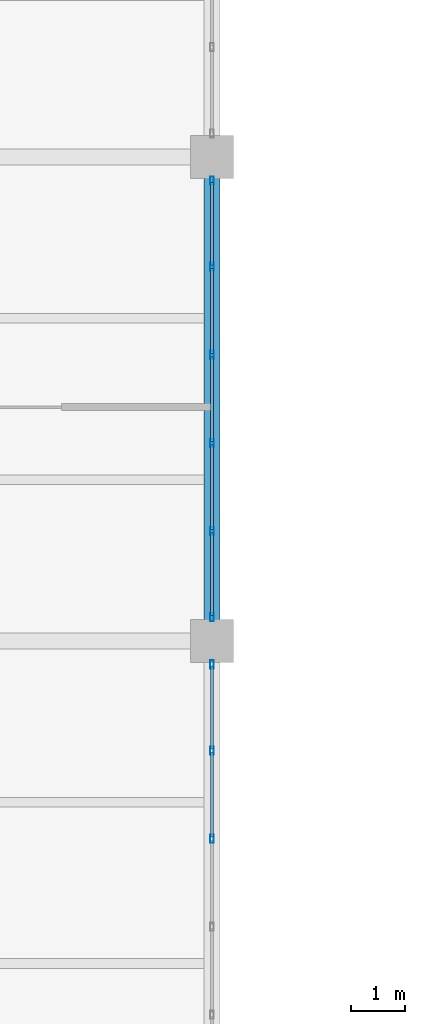
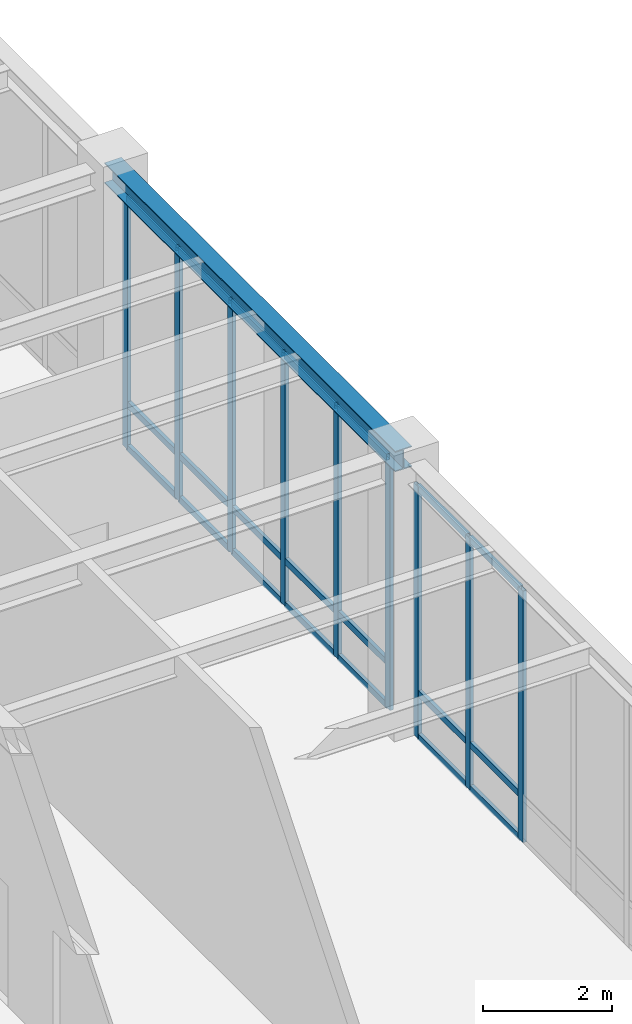
# One storey, part 24 of 77: 30 members, 1 beam, 2 elements without a shape of their own.
"""IFC4 building model written with IfcOpenShell, lengths in metres."""

import ifcopenshell
import ifcopenshell.guid

model = None  # the IFC model being written
_history = None  # IfcOwnerHistory: only IFC2X3 demands one
_inside = {}  # id of a spatial element -> (the spatial element, [elements in it])
_under = {}  # id of a project, library or spatial element -> (it, [spatial elements below it])
_declared = {}  # id of a project -> (the project, [libraries it declares])
_typed = {}  # id of a type object -> (the type object, [elements of that type])
_made_of = {}  # id of a material, layer set ... -> (it, [elements and type objects made of it])


def new_model(schema):
    """Start an empty IFC model of exactly this schema.

    Asked for "IFC4X3", IfcOpenShell would pick the latest addendum, in which some entities
    have other attributes; the version numbers below select the first issue.
    IFC2X3 requires an IfcOwnerHistory on every rooted entity: one is made here for all.
    """
    global model, _history
    if schema == "IFC4X3":
        model = ifcopenshell.file(schema_version=(4, 3, 0, 0))
    else:
        model = ifcopenshell.file(schema=schema)
    _inside.clear()
    _under.clear()
    _declared.clear()
    _typed.clear()
    _made_of.clear()
    _history = None
    if model.schema == "IFC2X3":
        org = make("IfcOrganization", Name="unknown")
        user = make(
            "IfcPersonAndOrganization",
            ThePerson=make("IfcPerson", FamilyName="unknown"),
            TheOrganization=org,
        )
        app = make(
            "IfcApplication",
            ApplicationDeveloper=org,
            Version="unknown",
            ApplicationFullName="unknown",
            ApplicationIdentifier="unknown",
        )
        _history = make(
            "IfcOwnerHistory",
            OwningUser=user,
            OwningApplication=app,
            ChangeAction="ADDED",
            CreationDate=0,
        )
    return model


def make(cls, **values):
    """One entity of the class cls with the attributes given. An attribute that is None is left unset."""
    return model.create_entity(
        cls, **{name: value for name, value in values.items() if value is not None}
    )


def rooted(cls, **values):
    """An entity with a GlobalId (a new one), such as an element, a storey or a relation."""
    return make(cls, GlobalId=ifcopenshell.guid.new(), OwnerHistory=_history, **values)


def si_unit(unit_type, name, prefix=None):
    """IfcSIUnit, for example si_unit("LENGTHUNIT", "METRE", prefix="MILLI")."""
    return make("IfcSIUnit", UnitType=unit_type, Prefix=prefix, Name=name)


def assignment(units):
    """IfcUnitAssignment: the units of a project."""
    return None if units is None else make("IfcUnitAssignment", Units=units)


def point(xyz):
    """IfcCartesianPoint."""
    return None if xyz is None else make("IfcCartesianPoint", Coordinates=xyz)


def direction(xyz):
    """IfcDirection."""
    return None if xyz is None else make("IfcDirection", DirectionRatios=xyz)


def frame(location, z_axis=None, x_axis=None):
    """IfcAxis2Placement3D, a coordinate frame: its origin and axes. An axis left out is left unset."""
    return make(
        "IfcAxis2Placement3D",
        Location=point(location),
        Axis=direction(z_axis),
        RefDirection=direction(x_axis),
    )


def frame_2d(location, x_axis=None):
    """IfcAxis2Placement2D, a coordinate frame in the plane: its origin and x axis."""
    return make(
        "IfcAxis2Placement2D", Location=point(location), RefDirection=direction(x_axis)
    )


def origin():
    """The frame at (0, 0, 0) with its axes left unset."""
    return frame((0.0, 0.0, 0.0))


def origin_2d():
    """The frame at (0, 0) in the plane with its x axis left unset."""
    return frame_2d((0.0, 0.0))


def place(relative_to, where):
    """IfcLocalPlacement: puts the frame where relative to a parent placement (None: the world)."""
    return make(
        "IfcLocalPlacement", PlacementRelTo=relative_to, RelativePlacement=where
    )


def context(
    kind, dimensions, precision=None, world=None, true_north=None, identifier=None
):
    """IfcGeometricRepresentationContext, for example the 3D "Model" context."""
    return make(
        "IfcGeometricRepresentationContext",
        ContextIdentifier=identifier,
        ContextType=kind,
        CoordinateSpaceDimension=dimensions,
        Precision=precision,
        WorldCoordinateSystem=world,
        TrueNorth=true_north,
    )


def subcontext(parent, identifier, kind, view, scale=None):
    """IfcGeometricRepresentationSubContext, for example "Body" below "Model"."""
    return make(
        "IfcGeometricRepresentationSubContext",
        ContextIdentifier=identifier,
        ContextType=kind,
        ParentContext=parent,
        TargetScale=scale,
        TargetView=view,
    )


def project(units=None, contexts=None):
    """IfcProject with its units and contexts."""
    return rooted(
        "IfcProject",
        Name="project",
        RepresentationContexts=contexts,
        UnitsInContext=assignment(units),
    )


def spatial(cls, under=None, at=None, **own):
    """A site, building, storey or space (cls), placed at a placement, below another one or the project."""
    s = rooted(cls, ObjectPlacement=at, **own)
    if under is not None:
        _under.setdefault(under.id(), (under, []))[1].append(s)
    return s


def profile(cls, at=None, kind="AREA", **sizes):
    """A parametric profile (cls). Its sizes go by their IFC names, for example OverallWidth=200.0."""
    return make(cls, ProfileType=kind, Position=at, **sizes)


def hollow_rectangle(**sizes):
    """IfcRectangleHollowProfileDef."""
    return profile("IfcRectangleHollowProfileDef", **sizes)


def i_section(**sizes):
    """IfcIShapeProfileDef."""
    return profile("IfcIShapeProfileDef", **sizes)


def extrude(swept, where, along, depth):
    """IfcExtrudedAreaSolid: the profile swept, set in the frame where, extruded along a direction by depth."""
    return make(
        "IfcExtrudedAreaSolid",
        SweptArea=swept,
        Position=where,
        ExtrudedDirection=direction(along),
        Depth=depth,
    )


def shape(context_of_items, identifier, shape_type, items):
    """IfcShapeRepresentation: the items that make up one representation, for example the "Body"."""
    return make(
        "IfcShapeRepresentation",
        ContextOfItems=context_of_items,
        RepresentationIdentifier=identifier,
        RepresentationType=shape_type,
        Items=items,
    )


def material(Name=None, Category=None):
    """IfcMaterial."""
    return make("IfcMaterial", Name=Name, Category=Category)


def material_profile(
    of_material, cross_section, Name=None, Category=None, Priority=None
):
    """IfcMaterialProfile: a cross section and its material."""
    return make(
        "IfcMaterialProfile",
        Name=Name,
        Material=of_material,
        Profile=cross_section,
        Priority=Priority,
        Category=Category,
    )


def profile_set(profiles, Name=None, composite=None):
    """IfcMaterialProfileSet."""
    return make(
        "IfcMaterialProfileSet",
        Name=Name,
        MaterialProfiles=profiles,
        CompositeProfile=composite,
    )


def made_of(thing, what):
    """Note that an element or type object is made of a material, layer set ...; save() writes the relation."""
    if what is not None:
        _made_of.setdefault(what.id(), (what, []))[1].append(thing)
    return thing


def type_object(cls, material=None, **own):
    """A type object (cls), such as IfcWallType, which elements share."""
    return made_of(rooted(cls, **own), material)


def element(
    cls,
    number,
    at=None,
    inside=None,
    cuts=None,
    type_object=None,
    material=None,
    context=None,
    identifier="Body",
    shape_type=None,
    held_by="IfcProductDefinitionShape",
    body=None,
    shapes=None,
    **own,
):
    """One element of the class cls, such as IfcWall. Its Tag is "e" and its number.

    at: its placement. inside: the storey or other place that contains it. cuts: it is an
    opening in that element (IfcRelVoidsElement). A single representation is given by context,
    identifier, shape_type and body (its items); several are given by shapes. held_by: the class
    of the entity that holds the representations. save() writes the other relations.
    """
    e = rooted(cls, Tag="e%d" % number, ObjectPlacement=at, **own)
    if body is not None:
        shapes = [shape(context, identifier, shape_type, body)]
    if shapes is not None:
        e.Representation = make(held_by, Representations=shapes)
    if inside is not None:
        _inside.setdefault(inside.id(), (inside, []))[1].append(e)
    if cuts is not None:
        rooted(
            "IfcRelVoidsElement", RelatingBuildingElement=cuts, RelatedOpeningElement=e
        )
    if type_object is not None:
        _typed.setdefault(type_object.id(), (type_object, []))[1].append(e)
    return made_of(e, material)


def aggregate(whole, parts):
    """IfcRelAggregates: a whole, such as a stair, and the parts it consists of."""
    return rooted("IfcRelAggregates", RelatingObject=whole, RelatedObjects=parts)


def save(model, path):
    """Write the relations noted so far, then the file.

    IfcRelAggregates (storeys below a building ...), IfcRelContainedInSpatialStructure (elements
    in a storey), IfcRelDefinesByType, IfcRelAssociatesMaterial and IfcRelDeclares: one each for
    every whole, place, type object, material and project.
    """
    for whole, parts in _under.values():
        aggregate(whole, parts)
    for where, things in _inside.values():
        rooted(
            "IfcRelContainedInSpatialStructure",
            RelatedElements=things,
            RelatingStructure=where,
        )
    for kind, things in _typed.values():
        rooted("IfcRelDefinesByType", RelatedObjects=things, RelatingType=kind)
    for what, things in _made_of.values():
        rooted("IfcRelAssociatesMaterial", RelatedObjects=things, RelatingMaterial=what)
    for by, libraries in _declared.values():
        rooted("IfcRelDeclares", RelatingContext=by, RelatedDefinitions=libraries)
    model.write(path)


model = new_model("IFC4")

# Units and contexts
model_context = context("Model", 3, precision=1e-05, world=origin(), true_north=direction((0.0, 1.0)))
body_context = subcontext(model_context, "Body", "Model", "MODEL_VIEW")
ifc_project = project(units=[si_unit("LENGTHUNIT", "METRE"), si_unit("AREAUNIT", "SQUARE_METRE"), si_unit("VOLUMEUNIT", "CUBIC_METRE"), si_unit("PLANEANGLEUNIT", "RADIAN"), si_unit("MASSUNIT", "GRAM", prefix="KILO")], contexts=[model_context])

# Site, building, storey
site_placement = place(None, origin())
site = spatial("IfcSite", under=ifc_project, at=site_placement, CompositionType="ELEMENT")
building_placement = place(site_placement, origin())
building = spatial("IfcBuilding", under=site, at=building_placement, Name="Lykobir Media Centre", CompositionType="ELEMENT")
storey_placement = place(building_placement, origin())
storey = spatial("IfcBuildingStorey", under=building, at=storey_placement, Name="L00", CompositionType="ELEMENT", Elevation=0.0)

# Beam
ifc_material_1 = material(Name="Steel S355", Category="steel")
ifc_material_profile_1 = material_profile(ifc_material_1, i_section(OverallWidth=0.300048828125, OverallDepth=0.389892578125, WebThickness=0.010986328125, FlangeThickness=0.01904296875, at=origin_2d()), Name="HEA 400")
ifc_profile_set_1 = profile_set([ifc_material_profile_1], Name="Steel S355")
beam_type = type_object("IfcBeamType", Name="BM-HEA400", PredefinedType="BEAM", material=ifc_profile_set_1)
beam_placement = place(storey_placement, frame((36.0, 36.0, 4.965087890625), z_axis=(0.0, 1.0, 0.0), x_axis=(-1.0, 0.0, 0.0)))
element("IfcBeam", 1, at=beam_placement, inside=storey, type_object=beam_type, Name="Beam BM-L00-0360-0360-0360-0450-496", PredefinedType="BEAM", context=body_context, shape_type="SweptSolid", body=[
    extrude(i_section(OverallWidth=0.300048828125, OverallDepth=0.389892578125, WebThickness=0.010986328125, FlangeThickness=0.01904296875, at=origin_2d()), origin(), (0.0, 0.0, 1.0), 9.0),
])

# Curtain wall, members
ifc_material_2 = material(Name="Anodized Aluminium AW-6060", Category="aluminium")
curtain_wall_type = type_object("IfcCurtainWallType", Name="CW-COURT-A", PredefinedType="NOTDEFINED", material=ifc_material_2)
curtain_wall_1_placement = place(storey_placement, origin())
curtain_wall_1 = element("IfcCurtainWall", 2, at=curtain_wall_1_placement, inside=storey, type_object=curtain_wall_type, Name="Curtain wall CW2-L00-0015", PredefinedType="NOTDEFINED")
ifc_material_profile_2 = material_profile(ifc_material_2, hollow_rectangle(XDim=0.06494140625, YDim=0.14990234375, WallThickness=0.00341796875, at=origin_2d()), Name="ALU MULLION 65x150")
ifc_profile_set_2 = profile_set([ifc_material_profile_2], Name="Anodized Aluminium AW-6060")
member_type_1 = type_object("IfcMemberType", Name="CWM-150", PredefinedType="MULLION", material=ifc_profile_set_2)
member_1_placement = place(storey_placement, frame((36.0, 35.5625, 0.0), z_axis=(0.0, 0.0, 1.0), x_axis=(1.0, 0.0, 0.0)))
member_1 = element("IfcMember", 3, at=member_1_placement, type_object=member_type_1, Name="CW2-L00-0015 mullion 1", PredefinedType="MULLION", context=body_context, shape_type="SweptSolid", body=[
    extrude(hollow_rectangle(XDim=0.06494140625, YDim=0.14990234375, WallThickness=0.00341796875, at=origin_2d()), origin(), (0.0, 0.0, 1.0), 4.7548828125),
])
member_2_placement = place(storey_placement, frame((36.0, 33.95703125, 0.0), z_axis=(0.0, 0.0, 1.0), x_axis=(1.0, 0.0, 0.0)))
member_2 = element("IfcMember", 4, at=member_2_placement, type_object=member_type_1, Name="CW2-L00-0015 mullion 2", PredefinedType="MULLION", context=body_context, shape_type="SweptSolid", body=[
    extrude(hollow_rectangle(XDim=0.06494140625, YDim=0.14990234375, WallThickness=0.00341796875, at=origin_2d()), origin(), (0.0, 0.0, 1.0), 4.7548828125),
])
member_3_placement = place(storey_placement, frame((36.0, 32.319091796875, 0.0), z_axis=(0.0, 0.0, 1.0), x_axis=(1.0, 0.0, 0.0)))
member_3 = element("IfcMember", 5, at=member_3_placement, type_object=member_type_1, Name="CW2-L00-0015 mullion 3", PredefinedType="MULLION", context=body_context, shape_type="SweptSolid", body=[
    extrude(hollow_rectangle(XDim=0.06494140625, YDim=0.14990234375, WallThickness=0.00341796875, at=origin_2d()), origin(), (0.0, 0.0, 1.0), 4.7548828125),
])

curtain_wall_2_placement = place(storey_placement, origin())
curtain_wall_2 = element("IfcCurtainWall", 6, at=curtain_wall_2_placement, inside=storey, type_object=curtain_wall_type, Name="Curtain wall CW2-L00-0016", PredefinedType="NOTDEFINED")
member_4_placement = place(storey_placement, frame((36.0, 44.5625, 0.0), z_axis=(0.0, 0.0, 1.0), x_axis=(1.0, 0.0, 0.0)))
member_4 = element("IfcMember", 7, at=member_4_placement, type_object=member_type_1, Name="CW2-L00-0016 mullion 1", PredefinedType="MULLION", context=body_context, shape_type="SweptSolid", body=[
    extrude(hollow_rectangle(XDim=0.06494140625, YDim=0.14990234375, WallThickness=0.00341796875, at=origin_2d()), origin(), (0.0, 0.0, 1.0), 4.7548828125),
])
member_5_placement = place(storey_placement, frame((36.0, 42.95703125, 0.0), z_axis=(0.0, 0.0, 1.0), x_axis=(1.0, 0.0, 0.0)))
member_5 = element("IfcMember", 8, at=member_5_placement, type_object=member_type_1, Name="CW2-L00-0016 mullion 2", PredefinedType="MULLION", context=body_context, shape_type="SweptSolid", body=[
    extrude(hollow_rectangle(XDim=0.06494140625, YDim=0.14990234375, WallThickness=0.00341796875, at=origin_2d()), origin(), (0.0, 0.0, 1.0), 4.7548828125),
])
member_6_placement = place(storey_placement, frame((36.0, 41.319091796875, 0.0), z_axis=(0.0, 0.0, 1.0), x_axis=(1.0, 0.0, 0.0)))
member_6 = element("IfcMember", 9, at=member_6_placement, type_object=member_type_1, Name="CW2-L00-0016 mullion 3", PredefinedType="MULLION", context=body_context, shape_type="SweptSolid", body=[
    extrude(hollow_rectangle(XDim=0.06494140625, YDim=0.14990234375, WallThickness=0.00341796875, at=origin_2d()), origin(), (0.0, 0.0, 1.0), 4.7548828125),
])
member_7_placement = place(storey_placement, frame((36.0, 39.680908203125, 0.0), z_axis=(0.0, 0.0, 1.0), x_axis=(1.0, 0.0, 0.0)))
member_7 = element("IfcMember", 10, at=member_7_placement, type_object=member_type_1, Name="CW2-L00-0016 mullion 4", PredefinedType="MULLION", context=body_context, shape_type="SweptSolid", body=[
    extrude(hollow_rectangle(XDim=0.06494140625, YDim=0.14990234375, WallThickness=0.00341796875, at=origin_2d()), origin(), (0.0, 0.0, 1.0), 4.7548828125),
])
member_8_placement = place(storey_placement, frame((36.0, 38.04296875, 0.0), z_axis=(0.0, 0.0, 1.0), x_axis=(1.0, 0.0, 0.0)))
member_8 = element("IfcMember", 11, at=member_8_placement, type_object=member_type_1, Name="CW2-L00-0016 mullion 5", PredefinedType="MULLION", context=body_context, shape_type="SweptSolid", body=[
    extrude(hollow_rectangle(XDim=0.06494140625, YDim=0.14990234375, WallThickness=0.00341796875, at=origin_2d()), origin(), (0.0, 0.0, 1.0), 4.7548828125),
])
member_9_placement = place(storey_placement, frame((36.0, 36.4375, 0.0), z_axis=(0.0, 0.0, 1.0), x_axis=(1.0, 0.0, 0.0)))
member_9 = element("IfcMember", 12, at=member_9_placement, type_object=member_type_1, Name="CW2-L00-0016 mullion 6", PredefinedType="MULLION", context=body_context, shape_type="SweptSolid", body=[
    extrude(hollow_rectangle(XDim=0.06494140625, YDim=0.14990234375, WallThickness=0.00341796875, at=origin_2d()), origin(), (0.0, 0.0, 1.0), 4.7548828125),
])

# Member
ifc_material_profile_3 = material_profile(ifc_material_2, hollow_rectangle(XDim=0.06494140625, YDim=0.1201171875, WallThickness=0.0029296875, at=origin_2d()), Name="ALU TRANSOM 65x120")
ifc_profile_set_3 = profile_set([ifc_material_profile_3], Name="Anodized Aluminium AW-6060")
member_type_2 = type_object("IfcMemberType", Name="CWT-120", PredefinedType="USERDEFINED", material=ifc_profile_set_3)
member_10_placement = place(storey_placement, frame((36.0, 35.530029296875, 0.032470703125), z_axis=(0.0, -1.0, 0.0), x_axis=(1.0, 0.0, 0.0)))
member_10 = element("IfcMember", 13, at=member_10_placement, type_object=member_type_2, Name="CW2-L00-0015 transom 1.1", ObjectType="TRANSOM", PredefinedType="USERDEFINED", context=body_context, shape_type="SweptSolid", body=[
    extrude(hollow_rectangle(XDim=0.06494140625, YDim=0.1201171875, WallThickness=0.0029296875, at=origin_2d()), origin(), (0.0, 0.0, 1.0), 1.54052734375),
])

member_11_placement = place(storey_placement, frame((36.0, 35.530029296875, 0.85009765625), z_axis=(0.0, -1.0, 0.0), x_axis=(1.0, 0.0, 0.0)))
member_11 = element("IfcMember", 14, at=member_11_placement, type_object=member_type_2, Name="CW2-L00-0015 transom 1.2", ObjectType="TRANSOM", PredefinedType="USERDEFINED", context=body_context, shape_type="SweptSolid", body=[
    extrude(hollow_rectangle(XDim=0.06494140625, YDim=0.1201171875, WallThickness=0.0029296875, at=origin_2d()), origin(), (0.0, 0.0, 1.0), 1.54052734375),
])

member_12_placement = place(storey_placement, frame((36.0, 35.530029296875, 4.722412109375), z_axis=(0.0, -1.0, 0.0), x_axis=(1.0, 0.0, 0.0)))
member_12 = element("IfcMember", 15, at=member_12_placement, type_object=member_type_2, Name="CW2-L00-0015 transom 1.3", ObjectType="TRANSOM", PredefinedType="USERDEFINED", context=body_context, shape_type="SweptSolid", body=[
    extrude(hollow_rectangle(XDim=0.06494140625, YDim=0.1201171875, WallThickness=0.0029296875, at=origin_2d()), origin(), (0.0, 0.0, 1.0), 1.54052734375),
])

member_13_placement = place(storey_placement, frame((36.0, 33.924560546875, 0.032470703125), z_axis=(0.0, -1.0, 0.0), x_axis=(1.0, 0.0, 0.0)))
member_13 = element("IfcMember", 16, at=member_13_placement, type_object=member_type_2, Name="CW2-L00-0015 transom 2.1", ObjectType="TRANSOM", PredefinedType="USERDEFINED", context=body_context, shape_type="SweptSolid", body=[
    extrude(hollow_rectangle(XDim=0.06494140625, YDim=0.1201171875, WallThickness=0.0029296875, at=origin_2d()), origin(), (0.0, 0.0, 1.0), 1.572998046875),
])

member_14_placement = place(storey_placement, frame((36.0, 33.924560546875, 0.85009765625), z_axis=(0.0, -1.0, 0.0), x_axis=(1.0, 0.0, 0.0)))
member_14 = element("IfcMember", 17, at=member_14_placement, type_object=member_type_2, Name="CW2-L00-0015 transom 2.2", ObjectType="TRANSOM", PredefinedType="USERDEFINED", context=body_context, shape_type="SweptSolid", body=[
    extrude(hollow_rectangle(XDim=0.06494140625, YDim=0.1201171875, WallThickness=0.0029296875, at=origin_2d()), origin(), (0.0, 0.0, 1.0), 1.572998046875),
])

member_15_placement = place(storey_placement, frame((36.0, 33.924560546875, 4.722412109375), z_axis=(0.0, -1.0, 0.0), x_axis=(1.0, 0.0, 0.0)))
member_15 = element("IfcMember", 18, at=member_15_placement, type_object=member_type_2, Name="CW2-L00-0015 transom 2.3", ObjectType="TRANSOM", PredefinedType="USERDEFINED", context=body_context, shape_type="SweptSolid", body=[
    extrude(hollow_rectangle(XDim=0.06494140625, YDim=0.1201171875, WallThickness=0.0029296875, at=origin_2d()), origin(), (0.0, 0.0, 1.0), 1.572998046875),
])

aggregate(curtain_wall_1, [member_1, member_2, member_3, member_10, member_11, member_12, member_13, member_14, member_15])

member_16_placement = place(storey_placement, frame((36.0, 44.530029296875, 0.032470703125), z_axis=(0.0, -1.0, 0.0), x_axis=(1.0, 0.0, 0.0)))
member_16 = element("IfcMember", 19, at=member_16_placement, type_object=member_type_2, Name="CW2-L00-0016 transom 1.1", ObjectType="TRANSOM", PredefinedType="USERDEFINED", context=body_context, shape_type="SweptSolid", body=[
    extrude(hollow_rectangle(XDim=0.06494140625, YDim=0.1201171875, WallThickness=0.0029296875, at=origin_2d()), origin(), (0.0, 0.0, 1.0), 1.54052734375),
])

member_17_placement = place(storey_placement, frame((36.0, 44.530029296875, 0.85009765625), z_axis=(0.0, -1.0, 0.0), x_axis=(1.0, 0.0, 0.0)))
member_17 = element("IfcMember", 20, at=member_17_placement, type_object=member_type_2, Name="CW2-L00-0016 transom 1.2", ObjectType="TRANSOM", PredefinedType="USERDEFINED", context=body_context, shape_type="SweptSolid", body=[
    extrude(hollow_rectangle(XDim=0.06494140625, YDim=0.1201171875, WallThickness=0.0029296875, at=origin_2d()), origin(), (0.0, 0.0, 1.0), 1.54052734375),
])

member_18_placement = place(storey_placement, frame((36.0, 44.530029296875, 4.722412109375), z_axis=(0.0, -1.0, 0.0), x_axis=(1.0, 0.0, 0.0)))
member_18 = element("IfcMember", 21, at=member_18_placement, type_object=member_type_2, Name="CW2-L00-0016 transom 1.3", ObjectType="TRANSOM", PredefinedType="USERDEFINED", context=body_context, shape_type="SweptSolid", body=[
    extrude(hollow_rectangle(XDim=0.06494140625, YDim=0.1201171875, WallThickness=0.0029296875, at=origin_2d()), origin(), (0.0, 0.0, 1.0), 1.54052734375),
])

member_19_placement = place(storey_placement, frame((36.0, 42.924560546875, 0.032470703125), z_axis=(0.0, -1.0, 0.0), x_axis=(1.0, 0.0, 0.0)))
member_19 = element("IfcMember", 22, at=member_19_placement, type_object=member_type_2, Name="CW2-L00-0016 transom 2.1", ObjectType="TRANSOM", PredefinedType="USERDEFINED", context=body_context, shape_type="SweptSolid", body=[
    extrude(hollow_rectangle(XDim=0.06494140625, YDim=0.1201171875, WallThickness=0.0029296875, at=origin_2d()), origin(), (0.0, 0.0, 1.0), 1.572998046875),
])

member_20_placement = place(storey_placement, frame((36.0, 42.924560546875, 0.85009765625), z_axis=(0.0, -1.0, 0.0), x_axis=(1.0, 0.0, 0.0)))
member_20 = element("IfcMember", 23, at=member_20_placement, type_object=member_type_2, Name="CW2-L00-0016 transom 2.2", ObjectType="TRANSOM", PredefinedType="USERDEFINED", context=body_context, shape_type="SweptSolid", body=[
    extrude(hollow_rectangle(XDim=0.06494140625, YDim=0.1201171875, WallThickness=0.0029296875, at=origin_2d()), origin(), (0.0, 0.0, 1.0), 1.572998046875),
])

member_21_placement = place(storey_placement, frame((36.0, 42.924560546875, 4.722412109375), z_axis=(0.0, -1.0, 0.0), x_axis=(1.0, 0.0, 0.0)))
member_21 = element("IfcMember", 24, at=member_21_placement, type_object=member_type_2, Name="CW2-L00-0016 transom 2.3", ObjectType="TRANSOM", PredefinedType="USERDEFINED", context=body_context, shape_type="SweptSolid", body=[
    extrude(hollow_rectangle(XDim=0.06494140625, YDim=0.1201171875, WallThickness=0.0029296875, at=origin_2d()), origin(), (0.0, 0.0, 1.0), 1.572998046875),
])

member_22_placement = place(storey_placement, frame((36.0, 41.28662109375, 0.032470703125), z_axis=(0.0, -1.0, 0.0), x_axis=(1.0, 0.0, 0.0)))
member_22 = element("IfcMember", 25, at=member_22_placement, type_object=member_type_2, Name="CW2-L00-0016 transom 3.1", ObjectType="TRANSOM", PredefinedType="USERDEFINED", context=body_context, shape_type="SweptSolid", body=[
    extrude(hollow_rectangle(XDim=0.06494140625, YDim=0.1201171875, WallThickness=0.0029296875, at=origin_2d()), origin(), (0.0, 0.0, 1.0), 1.5732421875),
])

member_23_placement = place(storey_placement, frame((36.0, 41.28662109375, 0.85009765625), z_axis=(0.0, -1.0, 0.0), x_axis=(1.0, 0.0, 0.0)))
member_23 = element("IfcMember", 26, at=member_23_placement, type_object=member_type_2, Name="CW2-L00-0016 transom 3.2", ObjectType="TRANSOM", PredefinedType="USERDEFINED", context=body_context, shape_type="SweptSolid", body=[
    extrude(hollow_rectangle(XDim=0.06494140625, YDim=0.1201171875, WallThickness=0.0029296875, at=origin_2d()), origin(), (0.0, 0.0, 1.0), 1.5732421875),
])

member_24_placement = place(storey_placement, frame((36.0, 41.28662109375, 4.722412109375), z_axis=(0.0, -1.0, 0.0), x_axis=(1.0, 0.0, 0.0)))
member_24 = element("IfcMember", 27, at=member_24_placement, type_object=member_type_2, Name="CW2-L00-0016 transom 3.3", ObjectType="TRANSOM", PredefinedType="USERDEFINED", context=body_context, shape_type="SweptSolid", body=[
    extrude(hollow_rectangle(XDim=0.06494140625, YDim=0.1201171875, WallThickness=0.0029296875, at=origin_2d()), origin(), (0.0, 0.0, 1.0), 1.5732421875),
])

member_25_placement = place(storey_placement, frame((36.0, 39.6484375, 0.032470703125), z_axis=(0.0, -1.0, 0.0), x_axis=(1.0, 0.0, 0.0)))
member_25 = element("IfcMember", 28, at=member_25_placement, type_object=member_type_2, Name="CW2-L00-0016 transom 4.1", ObjectType="TRANSOM", PredefinedType="USERDEFINED", context=body_context, shape_type="SweptSolid", body=[
    extrude(hollow_rectangle(XDim=0.06494140625, YDim=0.1201171875, WallThickness=0.0029296875, at=origin_2d()), origin(), (0.0, 0.0, 1.0), 1.572998046875),
])

member_26_placement = place(storey_placement, frame((36.0, 39.6484375, 0.85009765625), z_axis=(0.0, -1.0, 0.0), x_axis=(1.0, 0.0, 0.0)))
member_26 = element("IfcMember", 29, at=member_26_placement, type_object=member_type_2, Name="CW2-L00-0016 transom 4.2", ObjectType="TRANSOM", PredefinedType="USERDEFINED", context=body_context, shape_type="SweptSolid", body=[
    extrude(hollow_rectangle(XDim=0.06494140625, YDim=0.1201171875, WallThickness=0.0029296875, at=origin_2d()), origin(), (0.0, 0.0, 1.0), 1.572998046875),
])

member_27_placement = place(storey_placement, frame((36.0, 39.6484375, 4.722412109375), z_axis=(0.0, -1.0, 0.0), x_axis=(1.0, 0.0, 0.0)))
member_27 = element("IfcMember", 30, at=member_27_placement, type_object=member_type_2, Name="CW2-L00-0016 transom 4.3", ObjectType="TRANSOM", PredefinedType="USERDEFINED", context=body_context, shape_type="SweptSolid", body=[
    extrude(hollow_rectangle(XDim=0.06494140625, YDim=0.1201171875, WallThickness=0.0029296875, at=origin_2d()), origin(), (0.0, 0.0, 1.0), 1.572998046875),
])

member_28_placement = place(storey_placement, frame((36.0, 38.010498046875, 0.032470703125), z_axis=(0.0, -1.0, 0.0), x_axis=(1.0, 0.0, 0.0)))
member_28 = element("IfcMember", 31, at=member_28_placement, type_object=member_type_2, Name="CW2-L00-0016 transom 5.1", ObjectType="TRANSOM", PredefinedType="USERDEFINED", context=body_context, shape_type="SweptSolid", body=[
    extrude(hollow_rectangle(XDim=0.06494140625, YDim=0.1201171875, WallThickness=0.0029296875, at=origin_2d()), origin(), (0.0, 0.0, 1.0), 1.54052734375),
])

member_29_placement = place(storey_placement, frame((36.0, 38.010498046875, 0.85009765625), z_axis=(0.0, -1.0, 0.0), x_axis=(1.0, 0.0, 0.0)))
member_29 = element("IfcMember", 32, at=member_29_placement, type_object=member_type_2, Name="CW2-L00-0016 transom 5.2", ObjectType="TRANSOM", PredefinedType="USERDEFINED", context=body_context, shape_type="SweptSolid", body=[
    extrude(hollow_rectangle(XDim=0.06494140625, YDim=0.1201171875, WallThickness=0.0029296875, at=origin_2d()), origin(), (0.0, 0.0, 1.0), 1.54052734375),
])

member_30_placement = place(storey_placement, frame((36.0, 38.010498046875, 4.722412109375), z_axis=(0.0, -1.0, 0.0), x_axis=(1.0, 0.0, 0.0)))
member_30 = element("IfcMember", 33, at=member_30_placement, type_object=member_type_2, Name="CW2-L00-0016 transom 5.3", ObjectType="TRANSOM", PredefinedType="USERDEFINED", context=body_context, shape_type="SweptSolid", body=[
    extrude(hollow_rectangle(XDim=0.06494140625, YDim=0.1201171875, WallThickness=0.0029296875, at=origin_2d()), origin(), (0.0, 0.0, 1.0), 1.54052734375),
])

aggregate(curtain_wall_2, [member_4, member_5, member_6, member_7, member_8, member_9, member_16, member_17, member_18, member_19, member_20, member_21, member_22, member_23, member_24, member_25, member_26, member_27, member_28, member_29, member_30])

save(model, "model.ifc")
